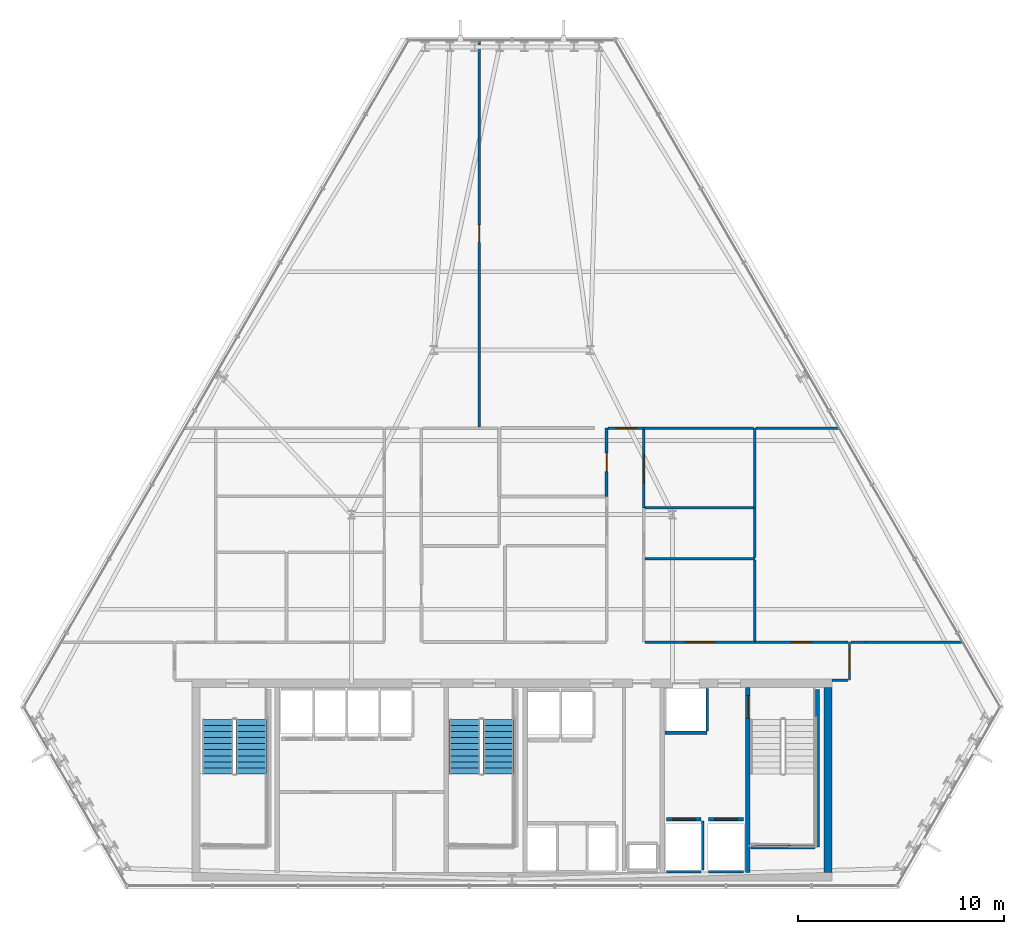
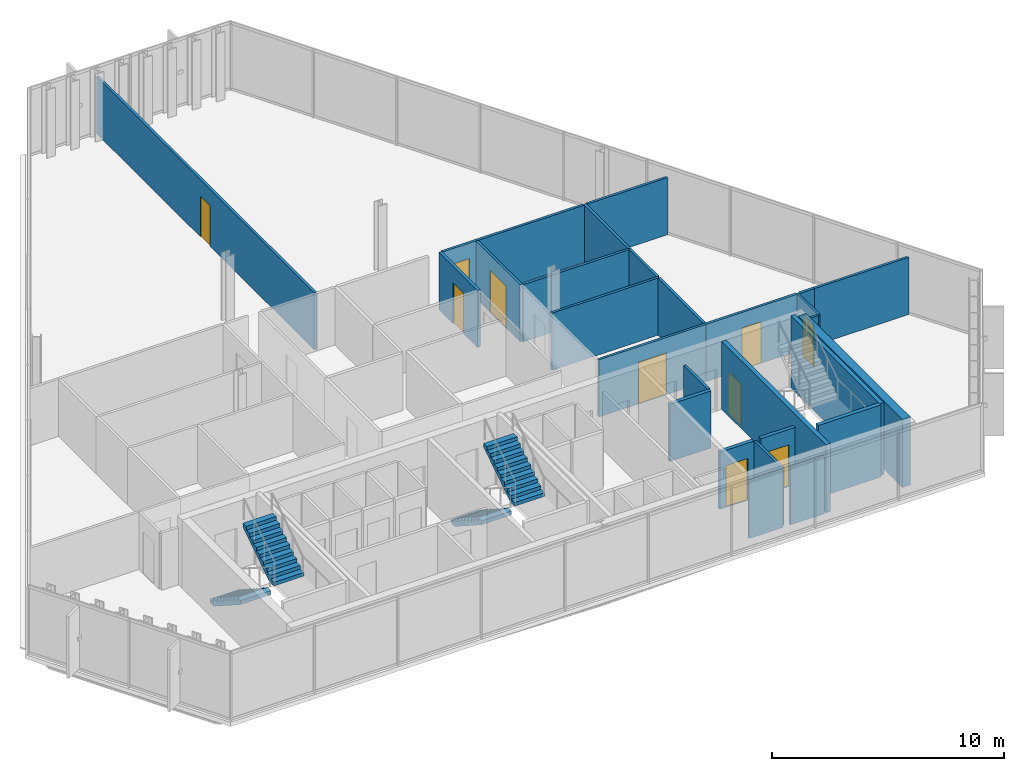
# One storey, part 30 of 35: 28 walls, 10 doors, 4 stair flights, 10 openings, 2 elements without a shape of their own.
"""IFC4 building model written with IfcOpenShell, lengths in metres."""

from ifc_helpers import new_model, si_unit, direction, frame, frame_2d, origin, place, context, subcontext, project, spatial, polyline, rectangle, outline, extrude, material, layer, layer_set, type_object, element, fill, aggregate, save


model = new_model("IFC4")

# Units and contexts
model_context = context("Model", 3, precision=1e-05, world=origin(), true_north=direction((0.0, 1.0)))
body_context = subcontext(model_context, "Body", "Model", "MODEL_VIEW")
ifc_project = project(units=[si_unit("LENGTHUNIT", "METRE"), si_unit("AREAUNIT", "SQUARE_METRE"), si_unit("VOLUMEUNIT", "CUBIC_METRE"), si_unit("PLANEANGLEUNIT", "RADIAN"), si_unit("MASSUNIT", "GRAM", prefix="KILO")], contexts=[model_context])

# Site, building, storey
site_placement = place(None, origin())
site = spatial("IfcSite", under=ifc_project, at=site_placement, CompositionType="ELEMENT")
building_placement = place(site_placement, origin())
building = spatial("IfcBuilding", under=site, at=building_placement, Name="Ndaravel Arena Tower", CompositionType="ELEMENT")
storey_placement = place(building_placement, frame((0.0, 0.0, 172.60009765625)))
storey = spatial("IfcBuildingStorey", under=building, at=storey_placement, Name="L41", CompositionType="ELEMENT", Elevation=172.60009765625)

# Wall, opening, door
ifc_material_1 = material(Name="Concrete C50/60", Category="concrete")
ifc_layer_1 = layer(ifc_material_1, 0.219970703125)
ifc_layer_set_1 = layer_set([ifc_layer_1], Name="Concrete C50/60")
wall_type_1 = type_object("IfcWallType", Name="WALL-CORE-220", PredefinedType="SOLIDWALL", material=ifc_layer_set_1)
wall_1_placement = place(storey_placement, frame((53.449951171875, 5.800048828125, 0.0), z_axis=(0.0, 0.0, 1.0), x_axis=(0.0, 1.0, 0.0)))
wall_1 = element("IfcWall", 1, at=wall_1_placement, inside=storey, type_object=wall_type_1, Name="L41 Core Web Shear Wall 5", PredefinedType="SOLIDWALL", context=body_context, shape_type="SweptSolid", body=[
    extrude(rectangle(XDim=9.0, YDim=0.219970703125, at=frame_2d((4.5, 0.0))), origin(), (0.0, 0.0, 1.0), 3.579833984375),
])
opening_1_placement = place(wall_1_placement, frame((7.5, 0.0, 0.0)))
opening_1 = element("IfcOpeningElement", 2, at=opening_1_placement, cuts=wall_1, Name="Opening FD-01", PredefinedType="OPENING", context=body_context, shape_type="SweptSolid", body=[
    extrude(rectangle(XDim=1.10009765625, YDim=2.199951171875, at=frame_2d((0.550048828125, 1.10009765625))), frame((0.0, 0.10986328125, 0.0), z_axis=(0.0, -1.0, 0.0), x_axis=(1.0, 0.0, 0.0)), (0.0, 0.0, 1.0), 0.219970703125),
])
ifc_material_2 = material(Name="Steel S355", Category="steel")
door_type_1 = type_object("IfcDoorType", Name="DT-01-STAIR-1100", OperationType="SINGLE_SWING_LEFT", PredefinedType="DOOR", material=ifc_material_2)
door_1_placement = place(opening_1_placement, origin())
door_1 = element("IfcDoor", 3, at=door_1_placement, inside=storey, type_object=door_type_1, Name="L41 Firefighting Lobby to ST-3 Door", OperationType="SINGLE_SWING_LEFT", OverallHeight=2.199951171875, OverallWidth=1.10009765625, PredefinedType="DOOR", context=body_context, shape_type="SweptSolid", body=[
    extrude(rectangle(XDim=1.10009765625, YDim=2.199951171875, at=frame_2d((0.550048828125, 1.10009765625))), frame((0.0, 0.02490234375, 0.0), z_axis=(0.0, -1.0, 0.0), x_axis=(1.0, 0.0, 0.0)), (0.0, 0.0, 1.0), 0.050048828125),
])
fill(opening_1, door_1)

# Wall
ifc_material_3 = material(Name="Concrete C50/60", Category="concrete")
ifc_layer_2 = layer(ifc_material_3, 0.39990234375)
ifc_layer_set_2 = layer_set([ifc_layer_2], Name="Concrete C50/60")
wall_type_2 = type_object("IfcWallType", Name="WALL-CORE-400", PredefinedType="SOLIDWALL", material=ifc_layer_set_2)
wall_2_placement = place(storey_placement, frame((57.35009765625, 5.800048828125, 0.0), z_axis=(0.0, 0.0, 1.0), x_axis=(0.0, 1.0, 0.0)))
element("IfcWall", 4, at=wall_2_placement, inside=storey, type_object=wall_type_2, Name="L41 Core East Shear Wall", PredefinedType="SOLIDWALL", context=body_context, shape_type="SweptSolid", body=[
    extrude(rectangle(XDim=9.0, YDim=0.39990234375, at=frame_2d((4.5, 0.0))), origin(), (0.0, 0.0, 1.0), 3.579833984375),
])

# Wall, opening, door
ifc_material_4 = material(Name="Timber", Category="wood")
ifc_layer_3 = layer(ifc_material_4, 0.10009765625)
ifc_layer_set_3 = layer_set([ifc_layer_3], Name="Timber")
wall_type_3 = type_object("IfcWallType", Name="WALL-MOVABLE-100", PredefinedType="MOVABLE", material=ifc_layer_set_3)
wall_3_placement = place(storey_placement, frame((58.39990234375, 17.0, 0.0), z_axis=(0.0, 0.0, 1.0), x_axis=(0.0, -1.0, 0.0)))
wall_3 = element("IfcWall", 5, at=wall_3_placement, inside=storey, type_object=wall_type_3, Name="L41 Interior Partition 001", PredefinedType="MOVABLE", context=body_context, shape_type="SweptSolid", body=[
    extrude(rectangle(XDim=1.85009765625, YDim=0.10009765625, at=frame_2d((0.925048828125, 0.0))), origin(), (0.0, 0.0, 1.0), 3.010498046875),
])
opening_2_placement = place(wall_3_placement, frame((0.449951171875, 0.0, 0.0)))
opening_2 = element("IfcOpeningElement", 6, at=opening_2_placement, cuts=wall_3, Name="Opening ID-01", PredefinedType="OPENING", context=body_context, shape_type="SweptSolid", body=[
    extrude(rectangle(XDim=0.949951171875, YDim=2.199951171875, at=frame_2d((0.47509765625, 1.10009765625))), frame((0.0, 0.050048828125, 0.0), z_axis=(0.0, -1.0, 0.0), x_axis=(1.0, 0.0, 0.0)), (0.0, 0.0, 1.0), 0.10009765625),
])
ifc_material_5 = material(Name="Timber", Category="wood")
door_type_2 = type_object("IfcDoorType", Name="DT-03-OFFICE-950", OperationType="SINGLE_SWING_LEFT", PredefinedType="DOOR", material=ifc_material_5)
door_2_placement = place(opening_2_placement, origin())
door_2 = element("IfcDoor", 7, at=door_2_placement, inside=storey, type_object=door_type_2, Name="L41 Design Bookshop Boutique Door", OperationType="SINGLE_SWING_LEFT", OverallHeight=2.199951171875, OverallWidth=0.949951171875, PredefinedType="DOOR", context=body_context, shape_type="SweptSolid", body=[
    extrude(rectangle(XDim=0.949951171875, YDim=2.199951171875, at=frame_2d((0.47509765625, 1.10009765625))), frame((0.0, 0.02490234375, 0.0), z_axis=(0.0, -1.0, 0.0), x_axis=(1.0, 0.0, 0.0)), (0.0, 0.0, 1.0), 0.050048828125),
])
fill(opening_2, door_2)

# Wall
ifc_material_6 = material(Name="Gypsum", Category="gypsum")
ifc_layer_4 = layer(ifc_material_6, 0.125)
ifc_layer_set_4 = layer_set([ifc_layer_4], Name="Gypsum")
wall_type_4 = type_object("IfcWallType", Name="WALL-PART-125", PredefinedType="PARTITIONING", material=ifc_layer_set_4)
wall_4_placement = place(storey_placement, frame((58.3349609375, 15.14990234375, 0.0), z_axis=(0.0, 0.0, 1.0), x_axis=(-1.0, 0.0, 0.0)))
element("IfcWall", 8, at=wall_4_placement, inside=storey, type_object=wall_type_4, Name="L41 Interior Partition 002", PredefinedType="PARTITIONING", context=body_context, shape_type="SweptSolid", body=[
    extrude(rectangle(XDim=0.784912109375, YDim=0.125, at=frame_2d((0.392578125, 0.0))), origin(), (0.0, 0.0, 1.0), 3.010498046875),
])

# Wall, opening, door
wall_5_placement = place(storey_placement, frame((46.6650390625, 27.39990234375, 0.0), z_axis=(0.0, 0.0, 1.0), x_axis=(1.0, 0.0, 0.0)))
wall_5 = element("IfcWall", 9, at=wall_5_placement, inside=storey, type_object=wall_type_4, Name="L41 Interior Partition 019", PredefinedType="PARTITIONING", context=body_context, shape_type="SweptSolid", body=[
    extrude(rectangle(XDim=1.73486328125, YDim=0.125, at=frame_2d((0.867431640625, 0.0))), origin(), (0.0, 0.0, 1.0), 3.010498046875),
])
opening_3_placement = place(wall_5_placement, frame((0.392578125, 0.0, 0.0)))
opening_3 = element("IfcOpeningElement", 10, at=opening_3_placement, cuts=wall_5, Name="Opening ID-01", PredefinedType="OPENING", context=body_context, shape_type="SweptSolid", body=[
    extrude(rectangle(XDim=0.949951171875, YDim=2.199951171875, at=frame_2d((0.47509765625, 1.10009765625))), frame((0.0, 0.0625, 0.0), z_axis=(0.0, -1.0, 0.0), x_axis=(1.0, 0.0, 0.0)), (0.0, 0.0, 1.0), 0.125),
])
door_3_placement = place(opening_3_placement, origin())
door_3 = element("IfcDoor", 11, at=door_3_placement, inside=storey, type_object=door_type_2, Name="L41 Innovation Showroom 7 Door", OperationType="SINGLE_SWING_LEFT", OverallHeight=2.199951171875, OverallWidth=0.949951171875, PredefinedType="DOOR", context=body_context, shape_type="SweptSolid", body=[
    extrude(rectangle(XDim=0.949951171875, YDim=2.199951171875, at=frame_2d((0.47509765625, 1.10009765625))), frame((0.0, 0.02490234375, 0.0), z_axis=(0.0, -1.0, 0.0), x_axis=(1.0, 0.0, 0.0)), (0.0, 0.0, 1.0), 0.050048828125),
])
fill(opening_3, door_3)

wall_6_placement = place(storey_placement, frame((48.39990234375, 27.3349609375, 0.0), z_axis=(0.0, 0.0, 1.0), x_axis=(0.0, -1.0, 0.0)))
wall_6 = element("IfcWall", 12, at=wall_6_placement, inside=storey, type_object=wall_type_4, Name="L41 Interior Partition 020", PredefinedType="PARTITIONING", context=body_context, shape_type="SweptSolid", body=[
    extrude(rectangle(XDim=3.8046875, YDim=0.125, at=frame_2d((1.90234375, 0.0))), origin(), (0.0, 0.0, 1.0), 3.010498046875),
])
opening_4_placement = place(wall_6_placement, frame((1.202392578125, 0.0, 0.0)))
opening_4 = element("IfcOpeningElement", 13, at=opening_4_placement, cuts=wall_6, Name="Opening ID-02", PredefinedType="OPENING", context=body_context, shape_type="SweptSolid", body=[
    extrude(rectangle(XDim=1.39990234375, YDim=2.199951171875, at=frame_2d((0.699951171875, 1.10009765625))), frame((0.0, 0.0625, 0.0), z_axis=(0.0, -1.0, 0.0), x_axis=(1.0, 0.0, 0.0)), (0.0, 0.0, 1.0), 0.125),
])
ifc_material_7 = material(Name="Timber", Category="wood")
door_type_3 = type_object("IfcDoorType", Name="DT-04-SUITE-1400", OperationType="DOUBLE_DOOR_SINGLE_SWING", PredefinedType="DOOR", material=ifc_material_7)
door_4_placement = place(opening_4_placement, origin())
door_4 = element("IfcDoor", 14, at=door_4_placement, inside=storey, type_object=door_type_3, Name="L41 Client Conference Room 6 Door", OperationType="SINGLE_SWING_LEFT", OverallHeight=2.199951171875, OverallWidth=1.39990234375, PredefinedType="DOOR", context=body_context, shape_type="SweptSolid", body=[
    extrude(rectangle(XDim=1.39990234375, YDim=2.199951171875, at=frame_2d((0.699951171875, 1.10009765625))), frame((0.0, 0.02490234375, 0.0), z_axis=(0.0, -1.0, 0.0), x_axis=(1.0, 0.0, 0.0)), (0.0, 0.0, 1.0), 0.050048828125),
])
fill(opening_4, door_4)

wall_7_placement = place(storey_placement, frame((48.465087890625, 17.0, 0.0), z_axis=(0.0, 0.0, 1.0), x_axis=(1.0, 0.0, 0.0)))
wall_7 = element("IfcWall", 15, at=wall_7_placement, inside=storey, type_object=wall_type_4, Name="L41 Interior Partition 023", PredefinedType="PARTITIONING", context=body_context, shape_type="SweptSolid", body=[
    extrude(rectangle(XDim=5.3349609375, YDim=0.125, at=frame_2d((2.66748046875, 0.0))), origin(), (0.0, 0.0, 1.0), 3.010498046875),
])
opening_5_placement = place(wall_7_placement, frame((1.967529296875, 0.0, 0.0)))
opening_5 = element("IfcOpeningElement", 16, at=opening_5_placement, cuts=wall_7, Name="Opening ID-02", PredefinedType="OPENING", context=body_context, shape_type="SweptSolid", body=[
    extrude(rectangle(XDim=1.39990234375, YDim=2.199951171875, at=frame_2d((0.699951171875, 1.10009765625))), frame((0.0, 0.0625, 0.0), z_axis=(0.0, -1.0, 0.0), x_axis=(1.0, 0.0, 0.0)), (0.0, 0.0, 1.0), 0.125),
])
door_5_placement = place(opening_5_placement, origin())
door_5 = element("IfcDoor", 17, at=door_5_placement, inside=storey, type_object=door_type_3, Name="L41 Collaborative Lounge Door", OperationType="SINGLE_SWING_RIGHT", OverallHeight=2.199951171875, OverallWidth=1.39990234375, PredefinedType="DOOR", context=body_context, shape_type="SweptSolid", body=[
    extrude(rectangle(XDim=1.39990234375, YDim=2.199951171875, at=frame_2d((0.699951171875, 1.10009765625))), frame((0.0, 0.02490234375, 0.0), z_axis=(0.0, -1.0, 0.0), x_axis=(1.0, 0.0, 0.0)), (0.0, 0.0, 1.0), 0.050048828125),
])
fill(opening_5, door_5)

wall_8_placement = place(storey_placement, frame((53.800048828125, 17.0, 0.0), z_axis=(0.0, 0.0, 1.0), x_axis=(1.0, 0.0, 0.0)))
wall_8 = element("IfcWall", 18, at=wall_8_placement, inside=storey, type_object=wall_type_4, Name="L41 Interior Partition 024", PredefinedType="PARTITIONING", context=body_context, shape_type="SweptSolid", body=[
    extrude(rectangle(XDim=4.534912109375, YDim=0.125, at=frame_2d((2.267578125, 0.0))), origin(), (0.0, 0.0, 1.0), 3.010498046875),
])
opening_6_placement = place(wall_8_placement, frame((1.79248046875, 0.0, 0.0)))
opening_6 = element("IfcOpeningElement", 19, at=opening_6_placement, cuts=wall_8, Name="Opening ID-01", PredefinedType="OPENING", context=body_context, shape_type="SweptSolid", body=[
    extrude(rectangle(XDim=0.949951171875, YDim=2.199951171875, at=frame_2d((0.47509765625, 1.10009765625))), frame((0.0, 0.0625, 0.0), z_axis=(0.0, -1.0, 0.0), x_axis=(1.0, 0.0, 0.0)), (0.0, 0.0, 1.0), 0.125),
])
door_6_placement = place(opening_6_placement, origin())
door_6 = element("IfcDoor", 20, at=door_6_placement, inside=storey, type_object=door_type_2, Name="L41 Innovation Showroom 3 Door", OperationType="SINGLE_SWING_RIGHT", OverallHeight=2.199951171875, OverallWidth=0.949951171875, PredefinedType="DOOR", context=body_context, shape_type="SweptSolid", body=[
    extrude(rectangle(XDim=0.949951171875, YDim=2.199951171875, at=frame_2d((0.47509765625, 1.10009765625))), frame((0.0, 0.02490234375, 0.0), z_axis=(0.0, -1.0, 0.0), x_axis=(1.0, 0.0, 0.0)), (0.0, 0.0, 1.0), 0.050048828125),
])
fill(opening_6, door_6)

# Walls
wall_9_placement = place(storey_placement, frame((58.465087890625, 17.0, 0.0), z_axis=(0.0, 0.0, 1.0), x_axis=(1.0, 0.0, 0.0)))
element("IfcWall", 21, at=wall_9_placement, inside=storey, type_object=wall_type_4, Name="L41 Interior Partition 026", PredefinedType="PARTITIONING", context=body_context, shape_type="SweptSolid", body=[
    extrude(rectangle(XDim=0.73486328125, YDim=0.125, at=frame_2d((0.367431640625, 0.0))), origin(), (0.0, 0.0, 1.0), 3.010498046875),
])
wall_10_placement = place(storey_placement, frame((59.199951171875, 17.0, 0.0), z_axis=(0.0, 0.0, 1.0), x_axis=(1.0, 0.0, 0.0)))
element("IfcWall", 22, at=wall_10_placement, inside=storey, type_object=wall_type_4, Name="L41 Interior Partition 027", PredefinedType="PARTITIONING", context=body_context, shape_type="SweptSolid", body=[
    extrude(rectangle(XDim=4.705322265625, YDim=0.125, at=frame_2d((2.3525390625, 0.0))), origin(), (0.0, 0.0, 1.0), 3.010498046875),
])
wall_11_placement = place(storey_placement, frame((48.465087890625, 21.055908203125, 0.0), z_axis=(0.0, 0.0, 1.0), x_axis=(1.0, 0.0, 0.0)))
element("IfcWall", 23, at=wall_11_placement, inside=storey, type_object=wall_type_4, Name="L41 Interior Partition 028", PredefinedType="PARTITIONING", context=body_context, shape_type="SweptSolid", body=[
    extrude(rectangle(XDim=5.3349609375, YDim=0.125, at=frame_2d((2.66748046875, 0.0))), origin(), (0.0, 0.0, 1.0), 3.010498046875),
])
wall_12_placement = place(storey_placement, frame((53.800048828125, 20.990966796875, 0.0), z_axis=(0.0, 0.0, 1.0), x_axis=(0.0, -1.0, 0.0)))
element("IfcWall", 24, at=wall_12_placement, inside=storey, type_object=wall_type_4, Name="L41 Interior Partition 029", PredefinedType="PARTITIONING", context=body_context, shape_type="SweptSolid", body=[
    extrude(rectangle(XDim=3.926025390625, YDim=0.125, at=frame_2d((1.962890625, 0.0))), origin(), (0.0, 0.0, 1.0), 3.010498046875),
])
wall_13_placement = place(storey_placement, frame((53.800048828125, 21.12109375, 0.0), z_axis=(0.0, 0.0, 1.0), x_axis=(0.0, 1.0, 0.0)))
element("IfcWall", 25, at=wall_13_placement, inside=storey, type_object=wall_type_4, Name="L41 Interior Partition 040", PredefinedType="PARTITIONING", context=body_context, shape_type="SweptSolid", body=[
    extrude(rectangle(XDim=2.4091796875, YDim=0.125, at=frame_2d((1.20458984375, 0.0))), origin(), (0.0, 0.0, 1.0), 3.010498046875),
])
wall_14_placement = place(storey_placement, frame((53.800048828125, 23.5302734375, 0.0), z_axis=(0.0, 0.0, 1.0), x_axis=(0.0, 1.0, 0.0)))
element("IfcWall", 26, at=wall_14_placement, inside=storey, type_object=wall_type_4, Name="L41 Interior Partition 041", PredefinedType="PARTITIONING", context=body_context, shape_type="SweptSolid", body=[
    extrude(rectangle(XDim=3.86962890625, YDim=0.125, at=frame_2d((1.934814453125, 0.0))), origin(), (0.0, 0.0, 1.0), 3.010498046875),
])
wall_15_placement = place(storey_placement, frame((53.864990234375, 27.39990234375, 0.0), z_axis=(0.0, 0.0, 1.0), x_axis=(1.0, 0.0, 0.0)))
element("IfcWall", 27, at=wall_15_placement, inside=storey, type_object=wall_type_4, Name="L41 Interior Partition 042", PredefinedType="PARTITIONING", context=body_context, shape_type="SweptSolid", body=[
    extrude(rectangle(XDim=4.035888671875, YDim=0.125, at=frame_2d((2.01806640625, 0.0))), origin(), (0.0, 0.0, 1.0), 3.010498046875),
])
wall_16_placement = place(storey_placement, frame((48.465087890625, 23.5302734375, 0.0), z_axis=(0.0, 0.0, 1.0), x_axis=(1.0, 0.0, 0.0)))
element("IfcWall", 28, at=wall_16_placement, inside=storey, type_object=wall_type_4, Name="L41 Interior Partition 043", PredefinedType="PARTITIONING", context=body_context, shape_type="SweptSolid", body=[
    extrude(rectangle(XDim=5.27001953125, YDim=0.125, at=frame_2d((2.635009765625, 0.0))), origin(), (0.0, 0.0, 1.0), 3.010498046875),
])
wall_17_placement = place(storey_placement, frame((48.39990234375, 27.39990234375, 0.0), z_axis=(0.0, 0.0, 1.0), x_axis=(1.0, 0.0, 0.0)))
element("IfcWall", 29, at=wall_17_placement, inside=storey, type_object=wall_type_4, Name="L41 Interior Partition 050", PredefinedType="PARTITIONING", context=body_context, shape_type="SweptSolid", body=[
    extrude(rectangle(XDim=5.335205078125, YDim=0.125, at=frame_2d((2.66748046875, 0.0))), origin(), (0.0, 0.0, 1.0), 3.010498046875),
])
ifc_material_8 = material(Name="Concrete C40/50", Category="concrete")
ifc_layer_5 = layer(ifc_material_8, 0.1201171875)
ifc_layer_set_5 = layer_set([ifc_layer_5], Name="Concrete C40/50")
wall_type_5 = type_object("IfcWallType", Name="WALL-SHAFT-120", PredefinedType="SOLIDWALL", material=ifc_layer_set_5)
wall_18_placement = place(storey_placement, frame((49.5048828125, 5.840087890625, 0.0), z_axis=(0.0, 0.0, 1.0), x_axis=(1.0, 0.0, 0.0)))
element("IfcWall", 30, at=wall_18_placement, inside=storey, type_object=wall_type_5, Name="L41 FFL-1 Shaft Rear Wall", PredefinedType="SOLIDWALL", context=body_context, shape_type="SweptSolid", body=[
    extrude(rectangle(XDim=1.690185546875, YDim=0.1201171875, at=frame_2d((0.84521484375, 0.0))), origin(), (0.0, 0.0, 1.0), 3.010498046875),
])
wall_19_placement = place(storey_placement, frame((51.27490234375, 5.929931640625, 0.0), z_axis=(0.0, 0.0, 1.0), x_axis=(0.0, 1.0, 0.0)))
element("IfcWall", 31, at=wall_19_placement, inside=storey, type_object=wall_type_5, Name="L41 FFL-1 Shaft Side R Wall", PredefinedType="SOLIDWALL", context=body_context, shape_type="SweptSolid", body=[
    extrude(rectangle(XDim=2.380126953125, YDim=0.1201171875, at=frame_2d((1.18994140625, 0.0))), origin(), (0.0, 0.0, 1.0), 3.010498046875),
])
wall_20_placement = place(storey_placement, frame((51.554931640625, 5.840087890625, 0.0), z_axis=(0.0, 0.0, 1.0), x_axis=(1.0, 0.0, 0.0)))
element("IfcWall", 32, at=wall_20_placement, inside=storey, type_object=wall_type_5, Name="L41 FFL-2 Shaft Rear Wall", PredefinedType="SOLIDWALL", context=body_context, shape_type="SweptSolid", body=[
    extrude(rectangle(XDim=1.690185546875, YDim=0.1201171875, at=frame_2d((0.84521484375, 0.0))), origin(), (0.0, 0.0, 1.0), 3.010498046875),
])
wall_21_placement = place(storey_placement, frame((51.47998046875, 12.68994140625, 0.0), z_axis=(0.0, 0.0, 1.0), x_axis=(0.0, 1.0, 0.0)))
element("IfcWall", 33, at=wall_21_placement, inside=storey, type_object=wall_type_5, Name="L41 SVL-1 Shaft E Wall", PredefinedType="SOLIDWALL", context=body_context, shape_type="SweptSolid", body=[
    extrude(rectangle(XDim=2.070068359375, YDim=0.1201171875, at=frame_2d((1.03515625, 0.0))), origin(), (0.0, 0.0, 1.0), 3.010498046875),
])
ifc_material_9 = material(Name="Concrete C40/50", Category="concrete")
ifc_layer_6 = layer(ifc_material_9, 0.199951171875)
ifc_layer_set_6 = layer_set([ifc_layer_6], Name="Concrete C40/50")
wall_type_6 = type_object("IfcWallType", Name="WALL-SHAFT-200", PredefinedType="SOLIDWALL", material=ifc_layer_set_6)
wall_22_placement = place(storey_placement, frame((56.840087890625, 14.699951171875, 0.0), z_axis=(0.0, 0.0, 1.0), x_axis=(0.0, -1.0, 0.0)))
element("IfcWall", 34, at=wall_22_placement, inside=storey, type_object=wall_type_6, Name="L41 ST-3 Structural Shaft Wall Right", PredefinedType="SOLIDWALL", context=body_context, shape_type="SweptSolid", body=[
    extrude(rectangle(XDim=7.64990234375, YDim=0.199951171875, at=frame_2d((3.824951171875, 0.0))), origin(), (0.0, 0.0, 1.0), 3.7998046875),
])
wall_23_placement = place(storey_placement, frame((53.6201171875, 7.050048828125, 0.0), z_axis=(0.0, 0.0, 1.0), x_axis=(1.0, 0.0, 0.0)))
element("IfcWall", 35, at=wall_23_placement, inside=storey, type_object=wall_type_6, Name="L41 ST-3 Structural Shaft Wall Far", PredefinedType="SOLIDWALL", context=body_context, shape_type="SweptSolid", body=[
    extrude(rectangle(XDim=3.114990234375, YDim=0.199951171875, at=frame_2d((1.5576171875, 0.0))), origin(), (0.0, 0.0, 1.0), 3.7998046875),
])

# Wall, opening, door
wall_24_placement = place(storey_placement, frame((49.5048828125, 8.39990234375, 0.0), z_axis=(0.0, 0.0, 1.0), x_axis=(1.0, 0.0, 0.0)))
wall_24 = element("IfcWall", 36, at=wall_24_placement, inside=storey, type_object=wall_type_6, Name="L41 FFL-1 Shaft Landing Wall", PredefinedType="SOLIDWALL", context=body_context, shape_type="SweptSolid", body=[
    extrude(rectangle(XDim=1.690185546875, YDim=0.179931640625, at=frame_2d((0.84521484375, 0.0))), origin(), (0.0, 0.0, 1.0), 3.010498046875),
])
opening_7_placement = place(wall_24_placement, frame((0.294921875, 0.0, 0.0)))
opening_7 = element("IfcOpeningElement", 37, at=opening_7_placement, cuts=wall_24, Name="Opening LD-01", PredefinedType="OPENING", context=body_context, shape_type="SweptSolid", body=[
    extrude(rectangle(XDim=1.10009765625, YDim=2.199951171875, at=frame_2d((0.550048828125, 1.10009765625))), frame((0.0, 0.08984375, 0.0), z_axis=(0.0, -1.0, 0.0), x_axis=(1.0, 0.0, 0.0)), (0.0, 0.0, 1.0), 0.179931640625),
])
ifc_material_10 = material(Name="Steel S355", Category="steel")
door_type_4 = type_object("IfcDoorType", Name="DT-06-LIFT-1100", OperationType="SLIDING_TO_LEFT", PredefinedType="DOOR", material=ifc_material_10)
door_7_placement = place(opening_7_placement, origin())
door_7 = element("IfcDoor", 38, at=door_7_placement, inside=storey, type_object=door_type_4, Name="L41 Lift FFL-1 Sliding Landing Door", OperationType="SLIDING_TO_LEFT", OverallHeight=2.199951171875, OverallWidth=1.10009765625, PredefinedType="DOOR", context=body_context, shape_type="SweptSolid", body=[
    extrude(rectangle(XDim=1.10009765625, YDim=2.199951171875, at=frame_2d((0.550048828125, 1.10009765625))), frame((0.0, 0.02490234375, 0.0), z_axis=(0.0, -1.0, 0.0), x_axis=(1.0, 0.0, 0.0)), (0.0, 0.0, 1.0), 0.050048828125),
])
fill(opening_7, door_7)

wall_25_placement = place(storey_placement, frame((51.554931640625, 8.39990234375, 0.0), z_axis=(0.0, 0.0, 1.0), x_axis=(1.0, 0.0, 0.0)))
wall_25 = element("IfcWall", 39, at=wall_25_placement, inside=storey, type_object=wall_type_6, Name="L41 FFL-2 Shaft Landing Wall", PredefinedType="SOLIDWALL", context=body_context, shape_type="SweptSolid", body=[
    extrude(rectangle(XDim=1.690185546875, YDim=0.179931640625, at=frame_2d((0.84521484375, 0.0))), origin(), (0.0, 0.0, 1.0), 3.010498046875),
])
opening_8_placement = place(wall_25_placement, frame((0.294921875, 0.0, 0.0)))
opening_8 = element("IfcOpeningElement", 40, at=opening_8_placement, cuts=wall_25, Name="Opening LD-01", PredefinedType="OPENING", context=body_context, shape_type="SweptSolid", body=[
    extrude(rectangle(XDim=1.10009765625, YDim=2.199951171875, at=frame_2d((0.550048828125, 1.10009765625))), frame((0.0, 0.08984375, 0.0), z_axis=(0.0, -1.0, 0.0), x_axis=(1.0, 0.0, 0.0)), (0.0, 0.0, 1.0), 0.179931640625),
])
door_8_placement = place(opening_8_placement, origin())
door_8 = element("IfcDoor", 41, at=door_8_placement, inside=storey, type_object=door_type_4, Name="L41 Lift FFL-2 Sliding Landing Door", OperationType="SLIDING_TO_LEFT", OverallHeight=2.199951171875, OverallWidth=1.10009765625, PredefinedType="DOOR", context=body_context, shape_type="SweptSolid", body=[
    extrude(rectangle(XDim=1.10009765625, YDim=2.199951171875, at=frame_2d((0.550048828125, 1.10009765625))), frame((0.0, 0.02490234375, 0.0), z_axis=(0.0, -1.0, 0.0), x_axis=(1.0, 0.0, 0.0)), (0.0, 0.0, 1.0), 0.050048828125),
])
fill(opening_8, door_8)

# Wall
wall_26_placement = place(storey_placement, frame((49.43994140625, 12.594970703125, 0.0), z_axis=(0.0, 0.0, 1.0), x_axis=(1.0, 0.0, 0.0)))
element("IfcWall", 42, at=wall_26_placement, inside=storey, type_object=wall_type_6, Name="L41 SVL-1 Shaft South Wall", PredefinedType="SOLIDWALL", context=body_context, shape_type="SweptSolid", body=[
    extrude(rectangle(XDim=2.0400390625, YDim=0.179931640625, at=frame_2d((1.02001953125, 0.0))), origin(), (0.0, 0.0, 1.0), 3.010498046875),
])

# Wall, opening, door
ifc_material_11 = material(Name="Masonry", Category="masonry")
ifc_layer_7 = layer(ifc_material_11, 0.14990234375)
ifc_layer_set_7 = layer_set([ifc_layer_7], Name="Masonry")
wall_type_7 = type_object("IfcWallType", Name="WALL-WET-150", PredefinedType="PARTITIONING", material=ifc_layer_set_7)
wall_27_placement = place(storey_placement, frame((46.60009765625, 24.08251953125, 0.0), z_axis=(0.0, 0.0, 1.0), x_axis=(0.0, 1.0, 0.0)))
wall_27 = element("IfcWall", 43, at=wall_27_placement, inside=storey, type_object=wall_type_7, Name="L41 Interior Partition 018", PredefinedType="PARTITIONING", context=body_context, shape_type="SweptSolid", body=[
    extrude(rectangle(XDim=3.3173828125, YDim=0.14990234375, at=frame_2d((1.65869140625, 0.0))), origin(), (0.0, 0.0, 1.0), 3.010498046875),
])
opening_9_placement = place(wall_27_placement, frame((1.208740234375, 0.0, 0.0)))
opening_9 = element("IfcOpeningElement", 44, at=opening_9_placement, cuts=wall_27, Name="Opening WD-01", PredefinedType="OPENING", context=body_context, shape_type="SweptSolid", body=[
    extrude(rectangle(XDim=0.89990234375, YDim=2.14990234375, at=frame_2d((0.449951171875, 1.074951171875))), frame((0.0, 0.074951171875, 0.0), z_axis=(0.0, -1.0, 0.0), x_axis=(1.0, 0.0, 0.0)), (0.0, 0.0, 1.0), 0.14990234375),
])
ifc_material_12 = material(Name="Timber", Category="wood")
door_type_5 = type_object("IfcDoorType", Name="DT-05-WC-900", OperationType="SINGLE_SWING_LEFT", PredefinedType="DOOR", material=ifc_material_12)
door_9_placement = place(opening_9_placement, origin())
door_9 = element("IfcDoor", 45, at=door_9_placement, inside=storey, type_object=door_type_5, Name="L41 Female & Accessible Restroom Door", OperationType="SINGLE_SWING_LEFT", OverallHeight=2.14990234375, OverallWidth=0.89990234375, PredefinedType="DOOR", context=body_context, shape_type="SweptSolid", body=[
    extrude(rectangle(XDim=0.89990234375, YDim=2.14990234375, at=frame_2d((0.449951171875, 1.074951171875))), frame((0.0, 0.02490234375, 0.0), z_axis=(0.0, -1.0, 0.0), x_axis=(1.0, 0.0, 0.0)), (0.0, 0.0, 1.0), 0.050048828125),
])
fill(opening_9, door_9)

wall_28_placement = place(storey_placement, frame((40.409912109375, 46.248291015625, 0.0), z_axis=(0.0, 0.0, 1.0), x_axis=(0.0, -1.0, 0.0)))
wall_28 = element("IfcWall", 46, at=wall_28_placement, inside=storey, type_object=wall_type_7, Name="L41 Interior Partition 053", PredefinedType="PARTITIONING", context=body_context, shape_type="SweptSolid", body=[
    extrude(rectangle(XDim=18.783203125, YDim=0.125, at=frame_2d((9.3916015625, 0.0))), origin(), (0.0, 0.0, 1.0), 3.010498046875),
])
opening_10_placement = place(wall_28_placement, frame((8.966552734375, 0.0, 0.0)))
opening_10 = element("IfcOpeningElement", 47, at=opening_10_placement, cuts=wall_28, Name="Opening ID-03", PredefinedType="OPENING", context=body_context, shape_type="SweptSolid", body=[
    extrude(rectangle(XDim=0.85009765625, YDim=2.14990234375, at=frame_2d((0.425048828125, 1.074951171875))), frame((0.0, 0.0625, 0.0), z_axis=(0.0, -1.0, 0.0), x_axis=(1.0, 0.0, 0.0)), (0.0, 0.0, 1.0), 0.125),
])
ifc_material_13 = material(Name="Timber", Category="wood")
door_type_6 = type_object("IfcDoorType", Name="DT-12-SUB-850", OperationType="SINGLE_SWING_LEFT", PredefinedType="DOOR", material=ifc_material_13)
door_10_placement = place(opening_10_placement, origin())
door_10 = element("IfcDoor", 48, at=door_10_placement, inside=storey, type_object=door_type_6, Name="L41 Project Seminar Room 7 Door", OperationType="SINGLE_SWING_LEFT", OverallHeight=2.14990234375, OverallWidth=0.85009765625, PredefinedType="DOOR", context=body_context, shape_type="SweptSolid", body=[
    extrude(rectangle(XDim=0.85009765625, YDim=2.14990234375, at=frame_2d((0.425048828125, 1.074951171875))), frame((0.0, 0.02490234375, 0.0), z_axis=(0.0, -1.0, 0.0), x_axis=(1.0, 0.0, 0.0)), (0.0, 0.0, 1.0), 0.050048828125),
])
fill(opening_10, door_10)

# Stair, stair flights
ifc_material_14 = material(Name="Concrete C40/50", Category="concrete")
stair_type = type_object("IfcStairType", Name="STAIR-CORE-HT", PredefinedType="HALF_TURN_STAIR", material=ifc_material_14)
stair_1_placement = place(storey_placement, origin())
stair_1 = element("IfcStair", 49, at=stair_1_placement, inside=storey, type_object=stair_type, Name="L41 ST-1", PredefinedType="HALF_TURN_STAIR")
ifc_material_15 = material(Name="Concrete C40/50", Category="concrete")
stair_flight_type = type_object("IfcStairFlightType", Name="SFLIGHT-CORE-1680", PredefinedType="STRAIGHT", material=ifc_material_15)
stair_flight_1_placement = place(storey_placement, frame((27.699951171875, 13.25, 0.0), z_axis=(0.0, 0.0, 1.0), x_axis=(0.0, -1.0, 0.0)))
stair_flight_1 = element("IfcStairFlight", 50, at=stair_flight_1_placement, type_object=stair_flight_type, Name="ST-1 flight 1", NumberOfRisers=10, NumberOfTreads=9, PredefinedType="STRAIGHT", RiserHeight=0.19, TreadLength=0.295, context=body_context, shape_type="SweptSolid", body=[
    extrude(outline(polyline([(0.0, 0.0), (0.0, 0.18994140625), (0.294921875, 0.18994140625), (0.294921875, 0.3798828125), (0.590087890625, 0.3798828125), (0.590087890625, 0.570068359375), (0.885009765625, 0.570068359375), (0.885009765625, 0.760009765625), (1.179931640625, 0.760009765625), (1.179931640625, 0.949951171875), (1.47509765625, 0.949951171875), (1.47509765625, 1.139892578125), (1.77001953125, 1.139892578125), (1.77001953125, 1.330078125), (2.06494140625, 1.330078125), (2.06494140625, 1.52001953125), (2.360107421875, 1.52001953125), (2.360107421875, 1.7099609375), (2.655029296875, 1.7099609375), (2.655029296875, 1.89990234375), (2.655029296875, 1.49609375), (0.332275390625, 0.0), (0.0, 0.0)])), frame((0.0, 0.75, 0.0), z_axis=(0.0, -1.0, 0.0), x_axis=(1.0, 0.0, 0.0)), (0.0, 0.0, 1.0), 1.5),
])
stair_flight_2_placement = place(storey_placement, frame((29.340087890625, 10.594970703125, 1.89990234375), z_axis=(0.0, 0.0, 1.0), x_axis=(0.0, 1.0, 0.0)))
stair_flight_2 = element("IfcStairFlight", 51, at=stair_flight_2_placement, type_object=stair_flight_type, Name="ST-1 flight 2", NumberOfRisers=10, NumberOfTreads=9, PredefinedType="STRAIGHT", RiserHeight=0.19, TreadLength=0.295, context=body_context, shape_type="SweptSolid", body=[
    extrude(outline(polyline([(0.0, 0.0), (0.0, 0.18994140625), (0.294921875, 0.18994140625), (0.294921875, 0.3798828125), (0.590087890625, 0.3798828125), (0.590087890625, 0.570068359375), (0.885009765625, 0.570068359375), (0.885009765625, 0.760009765625), (1.179931640625, 0.760009765625), (1.179931640625, 0.949951171875), (1.47509765625, 0.949951171875), (1.47509765625, 1.139892578125), (1.77001953125, 1.139892578125), (1.77001953125, 1.330078125), (2.06494140625, 1.330078125), (2.06494140625, 1.52001953125), (2.360107421875, 1.52001953125), (2.360107421875, 1.7099609375), (2.655029296875, 1.7099609375), (2.655029296875, 1.89990234375), (2.655029296875, 1.49609375), (0.332275390625, 0.0), (0.0, 0.0)])), frame((0.0, 0.75, 0.0), z_axis=(0.0, -1.0, 0.0), x_axis=(1.0, 0.0, 0.0)), (0.0, 0.0, 1.0), 1.5),
])
aggregate(stair_1, [stair_flight_1, stair_flight_2])

stair_2_placement = place(storey_placement, origin())
stair_2 = element("IfcStair", 52, at=stair_2_placement, inside=storey, type_object=stair_type, Name="L41 ST-2", PredefinedType="HALF_TURN_STAIR")
stair_flight_3_placement = place(storey_placement, frame((39.699951171875, 13.25, 0.0), z_axis=(0.0, 0.0, 1.0), x_axis=(0.0, -1.0, 0.0)))
stair_flight_3 = element("IfcStairFlight", 53, at=stair_flight_3_placement, type_object=stair_flight_type, Name="ST-2 flight 1", NumberOfRisers=10, NumberOfTreads=9, PredefinedType="STRAIGHT", RiserHeight=0.19, TreadLength=0.295, context=body_context, shape_type="SweptSolid", body=[
    extrude(outline(polyline([(0.0, 0.0), (0.0, 0.18994140625), (0.294921875, 0.18994140625), (0.294921875, 0.3798828125), (0.590087890625, 0.3798828125), (0.590087890625, 0.570068359375), (0.885009765625, 0.570068359375), (0.885009765625, 0.760009765625), (1.179931640625, 0.760009765625), (1.179931640625, 0.949951171875), (1.47509765625, 0.949951171875), (1.47509765625, 1.139892578125), (1.77001953125, 1.139892578125), (1.77001953125, 1.330078125), (2.06494140625, 1.330078125), (2.06494140625, 1.52001953125), (2.360107421875, 1.52001953125), (2.360107421875, 1.7099609375), (2.655029296875, 1.7099609375), (2.655029296875, 1.89990234375), (2.655029296875, 1.49609375), (0.332275390625, 0.0), (0.0, 0.0)])), frame((0.0, 0.75, 0.0), z_axis=(0.0, -1.0, 0.0), x_axis=(1.0, 0.0, 0.0)), (0.0, 0.0, 1.0), 1.5),
])
stair_flight_4_placement = place(storey_placement, frame((41.340087890625, 10.594970703125, 1.89990234375), z_axis=(0.0, 0.0, 1.0), x_axis=(0.0, 1.0, 0.0)))
stair_flight_4 = element("IfcStairFlight", 54, at=stair_flight_4_placement, type_object=stair_flight_type, Name="ST-2 flight 2", NumberOfRisers=10, NumberOfTreads=9, PredefinedType="STRAIGHT", RiserHeight=0.19, TreadLength=0.295, context=body_context, shape_type="SweptSolid", body=[
    extrude(outline(polyline([(0.0, 0.0), (0.0, 0.18994140625), (0.294921875, 0.18994140625), (0.294921875, 0.3798828125), (0.590087890625, 0.3798828125), (0.590087890625, 0.570068359375), (0.885009765625, 0.570068359375), (0.885009765625, 0.760009765625), (1.179931640625, 0.760009765625), (1.179931640625, 0.949951171875), (1.47509765625, 0.949951171875), (1.47509765625, 1.139892578125), (1.77001953125, 1.139892578125), (1.77001953125, 1.330078125), (2.06494140625, 1.330078125), (2.06494140625, 1.52001953125), (2.360107421875, 1.52001953125), (2.360107421875, 1.7099609375), (2.655029296875, 1.7099609375), (2.655029296875, 1.89990234375), (2.655029296875, 1.49609375), (0.332275390625, 0.0), (0.0, 0.0)])), frame((0.0, 0.75, 0.0), z_axis=(0.0, -1.0, 0.0), x_axis=(1.0, 0.0, 0.0)), (0.0, 0.0, 1.0), 1.5),
])
aggregate(stair_2, [stair_flight_3, stair_flight_4])

save(model, "model.ifc")
